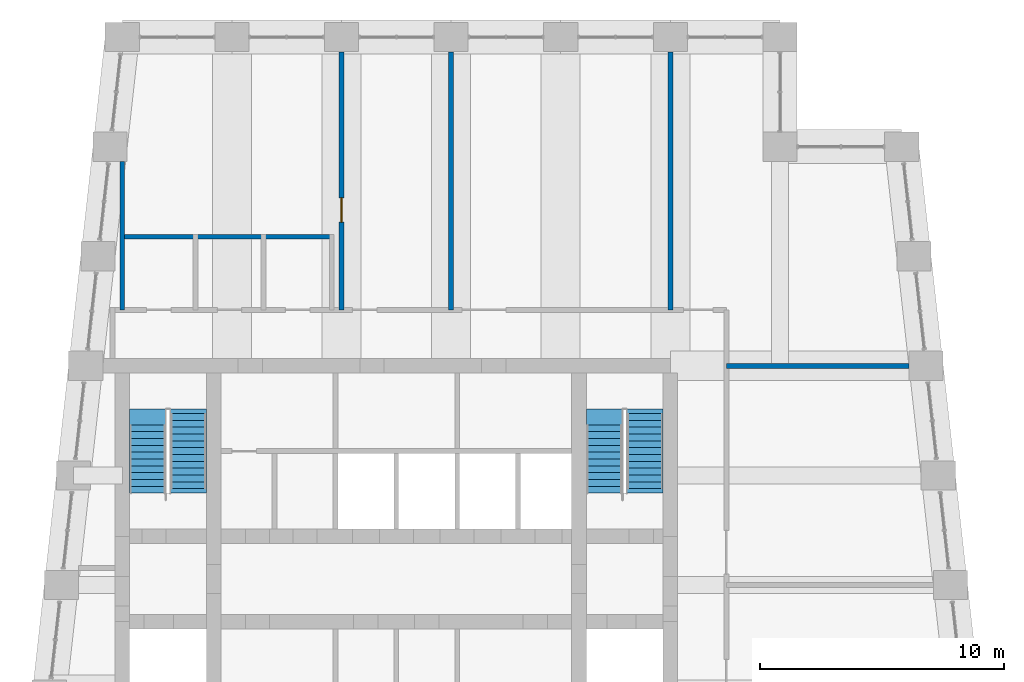
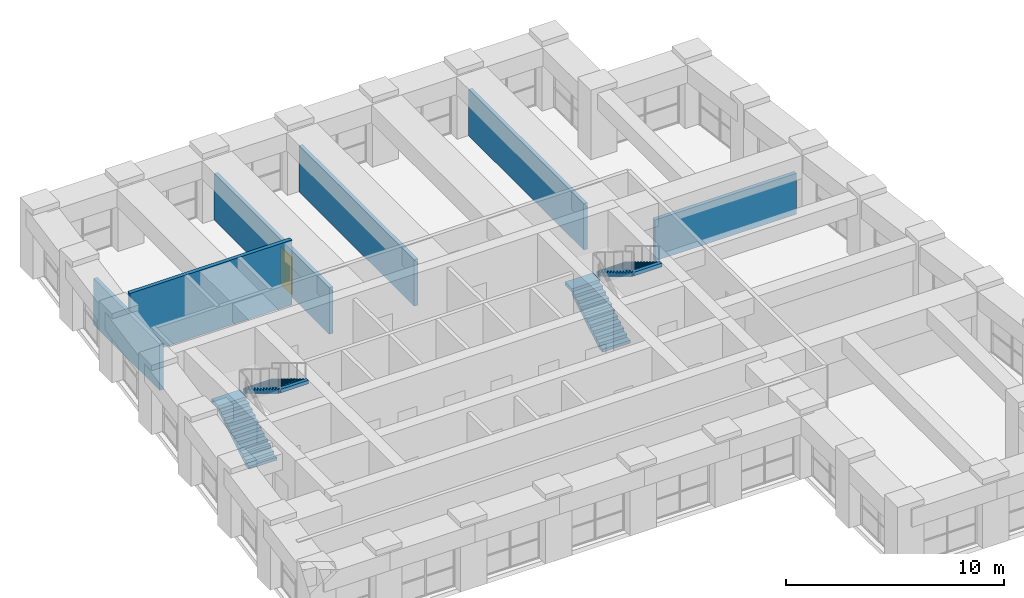
# One storey, part 14 of 15: 6 walls, 4 stair flights, 1 door, 1 opening, 2 elements without a shape of their own.
"""IFC4 building model written with IfcOpenShell, lengths in metres."""

from ifc_helpers import new_model, si_unit, direction, frame, frame_2d, origin, place, context, subcontext, project, spatial, polyline, rectangle, outline, extrude, material, layer, layer_set, type_object, element, fill, aggregate, save


model = new_model("IFC4")

# Units and contexts
model_context = context("Model", 3, precision=1e-05, world=origin(), true_north=direction((0.0, 1.0)))
body_context = subcontext(model_context, "Body", "Model", "MODEL_VIEW")
ifc_project = project(units=[si_unit("LENGTHUNIT", "METRE"), si_unit("AREAUNIT", "SQUARE_METRE"), si_unit("VOLUMEUNIT", "CUBIC_METRE"), si_unit("PLANEANGLEUNIT", "RADIAN"), si_unit("MASSUNIT", "GRAM", prefix="KILO")], contexts=[model_context])

# Site, building, storey
site_placement = place(None, origin())
site = spatial("IfcSite", under=ifc_project, at=site_placement, CompositionType="ELEMENT")
building_placement = place(site_placement, origin())
building = spatial("IfcBuilding", under=site, at=building_placement, Name="Kilele Tower Hotel", CompositionType="ELEMENT")
storey_placement = place(building_placement, frame((0.0, 0.0, 285.800048828125)))
storey = spatial("IfcBuildingStorey", under=building, at=storey_placement, Name="L73", CompositionType="ELEMENT", Elevation=285.800048828125)

# Walls
ifc_material_1 = material(Name="Blockwork, plastered both sides", Category="masonry")
ifc_layer = layer(ifc_material_1, 0.199951171875)
ifc_layer_set = layer_set([ifc_layer], Name="Blockwork, plastered both sides")
wall_type = type_object("IfcWallType", Name="Partition wall 200", PredefinedType="PARTITIONING", material=ifc_layer_set)
wall_1_placement = place(storey_placement, frame((38.300048828125, 27.0, 0.0), z_axis=(0.0, 0.0, 1.0), x_axis=(1.0, 0.0, 0.0)))
element("IfcWall", 1, at=wall_1_placement, inside=storey, type_object=wall_type, Name="Partition wall 200 L73", PredefinedType="PARTITIONING", context=body_context, shape_type="SweptSolid", body=[
    extrude(rectangle(XDim=7.4990234375, YDim=0.199951171875, at=frame_2d((3.74951171875, 0.0))), origin(), (0.0, 0.0, 1.0), 2.300048828125),
])
wall_2_placement = place(storey_placement, frame((13.5, 29.300048828125, 0.0), z_axis=(0.0, 0.0, 1.0), x_axis=(0.0, 1.0, 0.0)))
element("IfcWall", 2, at=wall_2_placement, inside=storey, type_object=wall_type, Name="Partition wall 200 L73", PredefinedType="PARTITIONING", context=body_context, shape_type="SweptSolid", body=[
    extrude(rectangle(XDim=6.08154296875, YDim=0.199951171875, at=frame_2d((3.040771484375, 0.0))), origin(), (0.0, 0.0, 1.0), 2.599853515625),
])

# Wall, opening, door
wall_3_placement = place(storey_placement, frame((22.5, 29.300048828125, 0.0), z_axis=(0.0, 0.0, 1.0), x_axis=(0.0, 1.0, 0.0)))
wall_3 = element("IfcWall", 3, at=wall_3_placement, inside=storey, type_object=wall_type, Name="Partition wall 200 L73", PredefinedType="PARTITIONING", context=body_context, shape_type="SweptSolid", body=[
    extrude(rectangle(XDim=10.58984375, YDim=0.199951171875, at=frame_2d((5.294921875, 0.0))), origin(), (0.0, 0.0, 1.0), 2.599853515625),
])
opening_placement = place(wall_3_placement, frame((3.60009765625, 0.0, 0.0)))
opening = element("IfcOpeningElement", 4, at=opening_placement, cuts=wall_3, Name="Opening D8", PredefinedType="OPENING", context=body_context, shape_type="SweptSolid", body=[
    extrude(rectangle(XDim=1.0, YDim=2.10009765625, at=frame_2d((0.5, 1.050048828125))), frame((0.0, 0.10986328125, 0.0), z_axis=(0.0, -1.0, 0.0), x_axis=(1.0, 0.0, 0.0)), (0.0, 0.0, 1.0), 0.219970703125),
])
ifc_material_2 = material(Name="Timber door leaf in hardwood frame", Category="wood")
door_type = type_object("IfcDoorType", Name="Door 1000", OperationType="SINGLE_SWING_LEFT", PredefinedType="DOOR", material=ifc_material_2)
door_placement = place(opening_placement, origin())
door = element("IfcDoor", 5, at=door_placement, inside=storey, type_object=door_type, Name="Door Bar store", OperationType="SINGLE_SWING_LEFT", OverallHeight=2.10009765625, OverallWidth=1.0, PredefinedType="DOOR", context=body_context, shape_type="SweptSolid", body=[
    extrude(rectangle(XDim=1.0, YDim=2.10009765625, at=frame_2d((0.5, 1.050048828125))), frame((0.0, 0.02490234375, 0.0), z_axis=(0.0, -1.0, 0.0), x_axis=(1.0, 0.0, 0.0)), (0.0, 0.0, 1.0), 0.050048828125),
])
fill(opening, door)

# Walls
for number, where, z_axis, x_axis, name in (
    (6, (27.0, 29.300048828125, 0.0), (0.0, 0.0, 1.0), (0.0, 1.0, 0.0), "Partition wall 200 L73"),
    (7, (36.0, 29.300048828125, 0.0), (0.0, 0.0, 1.0), (0.0, 1.0, 0.0), "Partition wall 200 L73"),
):
    element("IfcWall", number, at=place(storey_placement, frame(where, z_axis=z_axis, x_axis=x_axis)), inside=storey, type_object=wall_type, Name=name, PredefinedType="PARTITIONING", context=body_context, shape_type="SweptSolid", body=[
        extrude(rectangle(XDim=10.58984375, YDim=0.199951171875, at=frame_2d((5.294921875, 0.0))), origin(), (0.0, 0.0, 1.0), 2.599853515625),
    ])
wall_4_placement = place(storey_placement, frame((13.5, 32.300048828125, 0.0), z_axis=(0.0, 0.0, 1.0), x_axis=(1.0, 0.0, 0.0)))
element("IfcWall", 8, at=wall_4_placement, inside=storey, type_object=wall_type, Name="Partition wall 200 L73", PredefinedType="PARTITIONING", context=body_context, shape_type="SweptSolid", body=[
    extrude(rectangle(XDim=8.60009765625, YDim=0.199951171875, at=frame_2d((4.300048828125, 0.0))), origin(), (0.0, 0.0, 1.0), 3.64990234375),
])

# Stair, stair flights
ifc_material_3 = material(Name="Precast concrete C40/50", Category="concrete")
stair_type = type_object("IfcStairType", Name="Stair 1475 x 3900", PredefinedType="HALF_TURN_STAIR", material=ifc_material_3)
stair_1_placement = place(storey_placement, origin())
stair_1 = element("IfcStair", 9, at=stair_1_placement, inside=storey, type_object=stair_type, Name="Stair 1 L73", PredefinedType="HALF_TURN_STAIR")
ifc_material_4 = material(Name="Precast concrete C40/50", Category="concrete")
stair_flight_type = type_object("IfcStairFlightType", Name="Flight 1475 riser 169.6", PredefinedType="STRAIGHT", material=ifc_material_4)
stair_flight_1_placement = place(storey_placement, frame((14.53759765625, 21.77490234375, 0.0), z_axis=(0.0, 0.0, 1.0), x_axis=(0.0, 1.0, 0.0)))
stair_flight_1 = element("IfcStairFlight", 10, at=stair_flight_1_placement, type_object=stair_flight_type, Name="ST1 flight 1", NumberOfRisers=11, NumberOfTreads=10, PredefinedType="STRAIGHT", RiserHeight=0.169565217, TreadLength=0.28, context=body_context, shape_type="SweptSolid", body=[
    extrude(outline(polyline([(0.0, 0.0), (0.0, 0.169677734375), (0.280029296875, 0.169677734375), (0.280029296875, 0.339111328125), (0.56005859375, 0.339111328125), (0.56005859375, 0.5087890625), (0.840087890625, 0.5087890625), (0.840087890625, 0.67822265625), (1.1201171875, 0.67822265625), (1.1201171875, 0.847900390625), (1.39990234375, 0.847900390625), (1.39990234375, 1.017333984375), (1.679931640625, 1.017333984375), (1.679931640625, 1.18701171875), (1.9599609375, 1.18701171875), (1.9599609375, 1.3564453125), (2.239990234375, 1.3564453125), (2.239990234375, 1.526123046875), (2.52001953125, 1.526123046875), (2.52001953125, 1.695556640625), (2.800048828125, 1.695556640625), (2.800048828125, 1.865234375), (2.800048828125, 1.5205078125), (0.289306640625, 0.0), (0.0, 0.0)])), frame((0.0, 0.737548828125, 0.0), z_axis=(0.0, -1.0, 0.0), x_axis=(1.0, 0.0, 0.0)), (0.0, 0.0, 1.0), 1.47509765625),
    extrude(outline(polyline([(2.800048828125, 0.737548828125), (2.800048828125, -0.7373046875), (3.4501953125, -0.7373046875), (3.4501953125, 0.737548828125), (2.800048828125, 0.737548828125)])), frame((0.0, 0.0, 1.6650390625)), (0.0, 0.0, 1.0), 0.199951171875),
])
stair_flight_2_placement = place(storey_placement, frame((16.21240234375, 25.0400390625, 1.865234375), z_axis=(0.0, 0.0, 1.0), x_axis=(0.0, -1.0, 0.0)))
stair_flight_2 = element("IfcStairFlight", 11, at=stair_flight_2_placement, type_object=stair_flight_type, Name="ST1 flight 2", NumberOfRisers=12, NumberOfTreads=11, PredefinedType="STRAIGHT", RiserHeight=0.169565217, TreadLength=0.28, context=body_context, shape_type="SweptSolid", body=[
    extrude(outline(polyline([(0.0, 0.0), (0.0, 0.169677734375), (0.280029296875, 0.169677734375), (0.280029296875, 0.339111328125), (0.56005859375, 0.339111328125), (0.56005859375, 0.5087890625), (0.840087890625, 0.5087890625), (0.840087890625, 0.67822265625), (1.1201171875, 0.67822265625), (1.1201171875, 0.847900390625), (1.39990234375, 0.847900390625), (1.39990234375, 1.017333984375), (1.679931640625, 1.017333984375), (1.679931640625, 1.18701171875), (1.9599609375, 1.18701171875), (1.9599609375, 1.3564453125), (2.239990234375, 1.3564453125), (2.239990234375, 1.526123046875), (2.52001953125, 1.526123046875), (2.52001953125, 1.695556640625), (2.800048828125, 1.695556640625), (2.800048828125, 1.865234375), (3.080078125, 1.865234375), (3.080078125, 2.03466796875), (3.080078125, 1.68994140625), (0.289306640625, 0.0), (0.0, 0.0)])), frame((0.0, 0.737548828125, 0.0), z_axis=(0.0, -1.0, 0.0), x_axis=(1.0, 0.0, 0.0)), (0.0, 0.0, 1.0), 1.47509765625),
    extrude(outline(polyline([(0.0, -0.7373046875), (0.0, 0.737548828125), (-0.18505859375, 0.737548828125), (-0.18505859375, -0.7373046875), (0.0, -0.7373046875)])), frame((0.0, 0.0, -0.2001953125)), (0.0, 0.0, 1.0), 0.199951171875),
    extrude(outline(polyline([(3.26513671875, -0.7373046875), (3.26513671875, 0.737548828125), (3.080078125, 0.737548828125), (3.080078125, -0.7373046875), (3.26513671875, -0.7373046875)])), frame((0.0, 0.0, 1.834716796875)), (0.0, 0.0, 1.0), 0.199951171875),
])
aggregate(stair_1, [stair_flight_1, stair_flight_2])

stair_2_placement = place(storey_placement, origin())
stair_2 = element("IfcStair", 12, at=stair_2_placement, inside=storey, type_object=stair_type, Name="Stair 2 L73", PredefinedType="HALF_TURN_STAIR")
stair_flight_3_placement = place(storey_placement, frame((33.28759765625, 21.77490234375, 0.0), z_axis=(0.0, 0.0, 1.0), x_axis=(0.0, 1.0, 0.0)))
stair_flight_3 = element("IfcStairFlight", 13, at=stair_flight_3_placement, type_object=stair_flight_type, Name="ST2 flight 1", NumberOfRisers=11, NumberOfTreads=10, PredefinedType="STRAIGHT", RiserHeight=0.169565217, TreadLength=0.28, context=body_context, shape_type="SweptSolid", body=[
    extrude(outline(polyline([(0.0, 0.0), (0.0, 0.169677734375), (0.280029296875, 0.169677734375), (0.280029296875, 0.339111328125), (0.56005859375, 0.339111328125), (0.56005859375, 0.5087890625), (0.840087890625, 0.5087890625), (0.840087890625, 0.67822265625), (1.1201171875, 0.67822265625), (1.1201171875, 0.847900390625), (1.39990234375, 0.847900390625), (1.39990234375, 1.017333984375), (1.679931640625, 1.017333984375), (1.679931640625, 1.18701171875), (1.9599609375, 1.18701171875), (1.9599609375, 1.3564453125), (2.239990234375, 1.3564453125), (2.239990234375, 1.526123046875), (2.52001953125, 1.526123046875), (2.52001953125, 1.695556640625), (2.800048828125, 1.695556640625), (2.800048828125, 1.865234375), (2.800048828125, 1.5205078125), (0.289306640625, 0.0), (0.0, 0.0)])), frame((0.0, 0.737548828125, 0.0), z_axis=(0.0, -1.0, 0.0), x_axis=(1.0, 0.0, 0.0)), (0.0, 0.0, 1.0), 1.47509765625),
    extrude(outline(polyline([(2.800048828125, 0.737548828125), (2.800048828125, -0.7373046875), (3.4501953125, -0.7373046875), (3.4501953125, 0.737548828125), (2.800048828125, 0.737548828125)])), frame((0.0, 0.0, 1.6650390625)), (0.0, 0.0, 1.0), 0.199951171875),
])
stair_flight_4_placement = place(storey_placement, frame((34.96240234375, 25.0400390625, 1.865234375), z_axis=(0.0, 0.0, 1.0), x_axis=(0.0, -1.0, 0.0)))
stair_flight_4 = element("IfcStairFlight", 14, at=stair_flight_4_placement, type_object=stair_flight_type, Name="ST2 flight 2", NumberOfRisers=12, NumberOfTreads=11, PredefinedType="STRAIGHT", RiserHeight=0.169565217, TreadLength=0.28, context=body_context, shape_type="SweptSolid", body=[
    extrude(outline(polyline([(0.0, 0.0), (0.0, 0.169677734375), (0.280029296875, 0.169677734375), (0.280029296875, 0.339111328125), (0.56005859375, 0.339111328125), (0.56005859375, 0.5087890625), (0.840087890625, 0.5087890625), (0.840087890625, 0.67822265625), (1.1201171875, 0.67822265625), (1.1201171875, 0.847900390625), (1.39990234375, 0.847900390625), (1.39990234375, 1.017333984375), (1.679931640625, 1.017333984375), (1.679931640625, 1.18701171875), (1.9599609375, 1.18701171875), (1.9599609375, 1.3564453125), (2.239990234375, 1.3564453125), (2.239990234375, 1.526123046875), (2.52001953125, 1.526123046875), (2.52001953125, 1.695556640625), (2.800048828125, 1.695556640625), (2.800048828125, 1.865234375), (3.080078125, 1.865234375), (3.080078125, 2.03466796875), (3.080078125, 1.68994140625), (0.289306640625, 0.0), (0.0, 0.0)])), frame((0.0, 0.737548828125, 0.0), z_axis=(0.0, -1.0, 0.0), x_axis=(1.0, 0.0, 0.0)), (0.0, 0.0, 1.0), 1.47509765625),
    extrude(outline(polyline([(0.0, -0.7373046875), (0.0, 0.737548828125), (-0.18505859375, 0.737548828125), (-0.18505859375, -0.7373046875), (0.0, -0.7373046875)])), frame((0.0, 0.0, -0.2001953125)), (0.0, 0.0, 1.0), 0.199951171875),
    extrude(outline(polyline([(3.26513671875, -0.7373046875), (3.26513671875, 0.737548828125), (3.080078125, 0.737548828125), (3.080078125, -0.7373046875), (3.26513671875, -0.7373046875)])), frame((0.0, 0.0, 1.834716796875)), (0.0, 0.0, 1.0), 0.199951171875),
])
aggregate(stair_2, [stair_flight_3, stair_flight_4])

save(model, "model.ifc")
